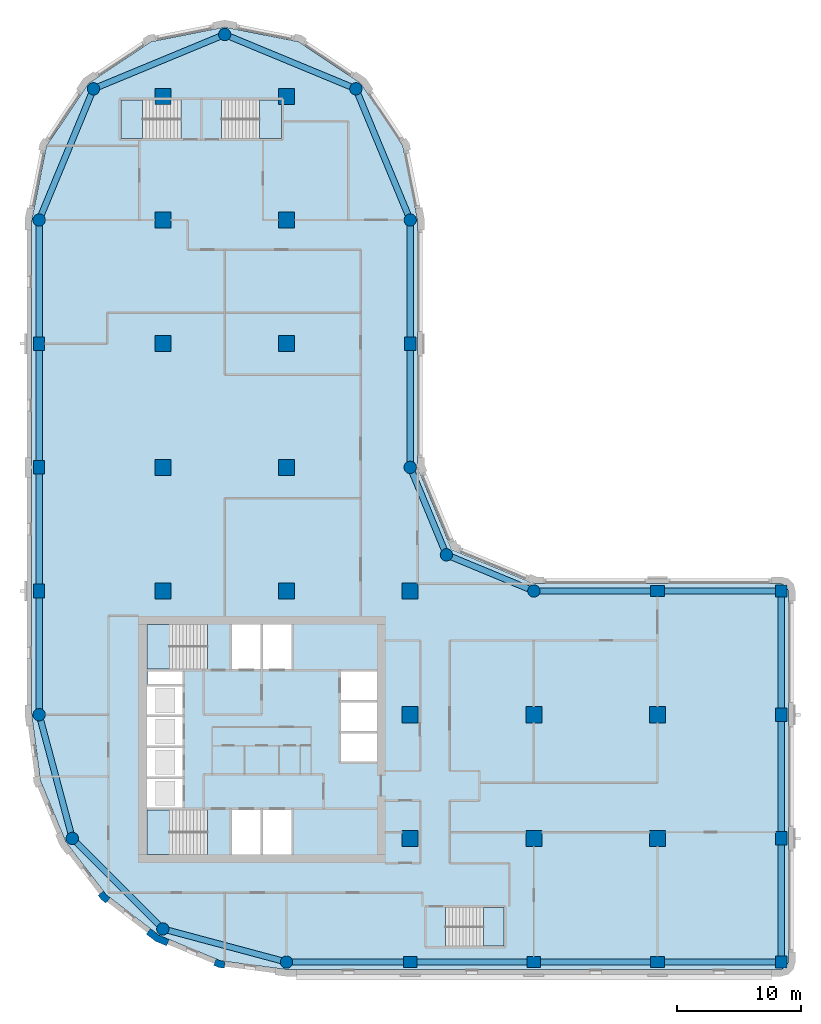
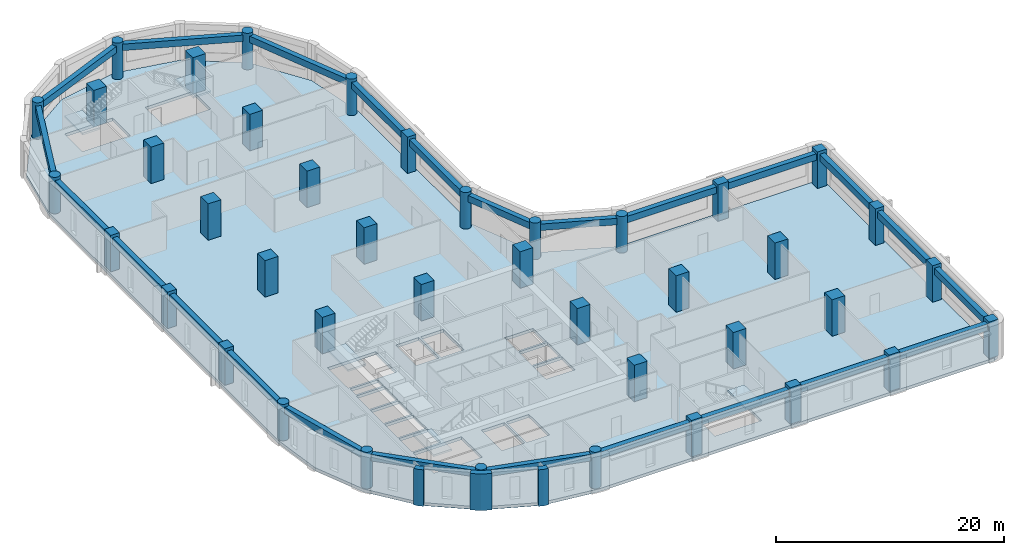
# One storey, part 1 of 9: 41 columns, 24 beams, 6 slabs, 3 walls, 5 elements without a shape of their own.
"""IFC4 building model written with IfcOpenShell, lengths in metres."""

from ifc_helpers import new_model, si_unit, direction, frame, origin, origin_2d, place, context, subcontext, project, spatial, polyline, rectangle, circle, outline, extrude, material, layer, layer_set, material_profile, profile_set, type_object, element, aggregate, save


model = new_model("IFC4")

# Units and contexts
model_context = context("Model", 3, precision=1e-05, world=origin(), true_north=direction((0.0, 1.0)))
body_context = subcontext(model_context, "Body", "Model", "MODEL_VIEW")
ifc_project = project(units=[si_unit("LENGTHUNIT", "METRE"), si_unit("AREAUNIT", "SQUARE_METRE"), si_unit("VOLUMEUNIT", "CUBIC_METRE"), si_unit("PLANEANGLEUNIT", "RADIAN"), si_unit("MASSUNIT", "GRAM", prefix="KILO")], contexts=[model_context])

# Site, building, storey
site_placement = place(None, origin())
site = spatial("IfcSite", under=ifc_project, at=site_placement, CompositionType="ELEMENT")
building_placement = place(site_placement, origin())
building = spatial("IfcBuilding", under=site, at=building_placement, Name="Qaws Garden Tower", CompositionType="ELEMENT")
storey_placement = place(building_placement, frame((0.0, 0.0, 194.10009765625)))
storey = spatial("IfcBuildingStorey", under=building, at=storey_placement, Name="L47", CompositionType="ELEMENT", Elevation=194.10009765625)

# Columns
ifc_material_1 = material(Name="Concrete C70", Category="concrete")
ifc_material_profile_1 = material_profile(ifc_material_1, rectangle(XDim=1.10009765625, YDim=0.89990234375, at=origin_2d()), Name="RC 1100x900")
ifc_profile_set_1 = profile_set([ifc_material_profile_1], Name="Concrete C70")
column_type_1 = type_object("IfcColumnType", Name="Column RC 1100x900 C70", PredefinedType="COLUMN", material=ifc_profile_set_1)
for number, where, z_axis, x_axis, name in (
    (1, (30.0, 0.0, 0.0), (0.0, 0.0, 1.0), (1.0, 0.0, 0.0), "Column L47-002"),
    (2, (40.0, 0.0, 0.0), (0.0, 0.0, 1.0), (1.0, 0.0, 0.0), "Column L47-003"),
    (3, (50.0, 0.0, 0.0), (0.0, 0.0, 1.0), (1.0, 0.0, 0.0), "Column L47-004"),
    (4, (60.0, 10.0, 0.0), (0.0, 0.0, 1.0), (0.0, 1.0, 0.0), "Column L47-006"),
    (5, (60.0, 20.0, 0.0), (0.0, 0.0, 1.0), (0.0, 1.0, 0.0), "Column L47-007"),
    (6, (50.0, 30.0, 0.0), (0.0, 0.0, 1.0), (1.0, 0.0, 0.0), "Column L47-009"),
    (7, (30.0, 50.0, 0.0), (0.0, 0.0, 1.0), (0.0, 1.0, 0.0), "Column L47-013"),
    (8, (0.0, 50.0, 0.0), (0.0, 0.0, 1.0), (0.0, 1.0, 0.0), "Column L47-019"),
    (9, (0.0, 40.0, 0.0), (0.0, 0.0, 1.0), (0.0, 1.0, 0.0), "Column L47-020"),
    (10, (0.0, 30.0, 0.0), (0.0, 0.0, 1.0), (0.0, 1.0, 0.0), "Column L47-021"),
):
    element("IfcColumn", number, at=place(storey_placement, frame(where, z_axis=z_axis, x_axis=x_axis)), inside=storey, type_object=column_type_1, Name=name, PredefinedType="COLUMN", context=body_context, shape_type="SweptSolid", body=[
        extrude(rectangle(XDim=1.10009765625, YDim=0.89990234375, at=origin_2d()), origin(), (0.0, 0.0, 1.0), 3.89990234375),
    ])
ifc_material_2 = material(Name="Concrete C70", Category="concrete")
ifc_material_profile_2 = material_profile(ifc_material_2, rectangle(XDim=1.300048828125, YDim=1.300048828125, at=origin_2d()), Name="RC 1300x1300")
ifc_profile_set_2 = profile_set([ifc_material_profile_2], Name="Concrete C70")
column_type_2 = type_object("IfcColumnType", Name="Column RC 1300x1300 C70", PredefinedType="COLUMN", material=ifc_profile_set_2)
for number, where, z_axis, x_axis, name in (
    (11, (10.0, 30.0, 0.0), (0.0, 0.0, 1.0), (1.0, 0.0, 0.0), "Column L47-025"),
    (12, (10.0, 40.0, 0.0), (0.0, 0.0, 1.0), (1.0, 0.0, 0.0), "Column L47-026"),
    (13, (10.0, 50.0, 0.0), (0.0, 0.0, 1.0), (1.0, 0.0, 0.0), "Column L47-027"),
    (14, (10.0, 60.0, 0.0), (0.0, 0.0, 1.0), (1.0, 0.0, 0.0), "Column L47-028"),
    (15, (10.0, 70.0, 0.0), (0.0, 0.0, 1.0), (1.0, 0.0, 0.0), "Column L47-029"),
    (16, (20.0, 30.0, 0.0), (0.0, 0.0, 1.0), (1.0, 0.0, 0.0), "Column L47-030"),
    (17, (20.0, 40.0, 0.0), (0.0, 0.0, 1.0), (1.0, 0.0, 0.0), "Column L47-031"),
    (18, (20.0, 50.0, 0.0), (0.0, 0.0, 1.0), (1.0, 0.0, 0.0), "Column L47-032"),
    (19, (20.0, 60.0, 0.0), (0.0, 0.0, 1.0), (1.0, 0.0, 0.0), "Column L47-033"),
    (20, (20.0, 70.0, 0.0), (0.0, 0.0, 1.0), (1.0, 0.0, 0.0), "Column L47-034"),
    (21, (30.0, 10.0, 0.0), (0.0, 0.0, 1.0), (1.0, 0.0, 0.0), "Column L47-035"),
    (22, (30.0, 20.0, 0.0), (0.0, 0.0, 1.0), (1.0, 0.0, 0.0), "Column L47-036"),
    (23, (30.0, 30.0, 0.0), (0.0, 0.0, 1.0), (1.0, 0.0, 0.0), "Column L47-037"),
    (24, (40.0, 10.0, 0.0), (0.0, 0.0, 1.0), (1.0, 0.0, 0.0), "Column L47-038"),
    (25, (40.0, 20.0, 0.0), (0.0, 0.0, 1.0), (1.0, 0.0, 0.0), "Column L47-039"),
    (26, (50.0, 10.0, 0.0), (0.0, 0.0, 1.0), (1.0, 0.0, 0.0), "Column L47-040"),
    (27, (50.0, 20.0, 0.0), (0.0, 0.0, 1.0), (1.0, 0.0, 0.0), "Column L47-041"),
):
    element("IfcColumn", number, at=place(storey_placement, frame(where, z_axis=z_axis, x_axis=x_axis)), inside=storey, type_object=column_type_2, Name=name, PredefinedType="COLUMN", context=body_context, shape_type="SweptSolid", body=[
        extrude(rectangle(XDim=1.300048828125, YDim=1.300048828125, at=origin_2d()), origin(), (0.0, 0.0, 1.0), 3.89990234375),
    ])
ifc_material_3 = material(Name="Concrete C70", Category="concrete")
ifc_material_profile_3 = material_profile(ifc_material_3, rectangle(XDim=0.949951171875, YDim=0.949951171875, at=origin_2d()), Name="RC 950x950")
ifc_profile_set_3 = profile_set([ifc_material_profile_3], Name="Concrete C70")
column_type_3 = type_object("IfcColumnType", Name="Column RC 950x950 C70", PredefinedType="COLUMN", material=ifc_profile_set_3)
for number, where, z_axis, x_axis, name in (
    (28, (60.0, 0.0, 0.0), (0.0, 0.0, 1.0), (1.0, 0.0, 0.0), "Column L47-005"),
    (29, (60.0, 30.0, 0.0), (0.0, 0.0, 1.0), (1.0, 0.0, 0.0), "Column L47-008"),
):
    element("IfcColumn", number, at=place(storey_placement, frame(where, z_axis=z_axis, x_axis=x_axis)), inside=storey, type_object=column_type_3, Name=name, PredefinedType="COLUMN", context=body_context, shape_type="SweptSolid", body=[
        extrude(rectangle(XDim=0.949951171875, YDim=0.949951171875, at=origin_2d()), origin(), (0.0, 0.0, 1.0), 3.89990234375),
    ])
ifc_material_4 = material(Name="Concrete C70", Category="concrete")
ifc_material_profile_4 = material_profile(ifc_material_4, circle(Radius=0.5, at=origin_2d()), Name="RC D1000")
ifc_profile_set_4 = profile_set([ifc_material_profile_4], Name="Concrete C70")
column_type_4 = type_object("IfcColumnType", Name="Column RC D1000 C70", PredefinedType="COLUMN", material=ifc_profile_set_4)
for number, where, z_axis, x_axis, name in (
    (30, (20.0, 0.0, 0.0), (0.0, 0.0, 1.0), (1.0, 0.0, 0.0), "Column L47-001"),
    (31, (40.0, 30.0, 0.0), (0.0, 0.0, 1.0), (1.0, 0.0, 0.0), "Column L47-010"),
    (32, (32.928955078125, 32.928955078125, 0.0), (0.0, 0.0, 1.0), (1.0, 0.0, 0.0), "Column L47-011"),
    (33, (30.0, 40.0, 0.0), (0.0, 0.0, 1.0), (1.0, 0.0, 0.0), "Column L47-012"),
    (34, (30.0, 60.0, 0.0), (0.0, 0.0, 1.0), (1.0, 0.0, 0.0), "Column L47-014"),
    (35, (25.606689453125, 70.606689453125, 0.0), (0.0, 0.0, 1.0), (1.0, 0.0, 0.0), "Column L47-015"),
    (36, (15.0, 75.0, 0.0), (0.0, 0.0, 1.0), (1.0, 0.0, 0.0), "Column L47-016"),
    (37, (4.393310546875, 70.606689453125, 0.0), (0.0, 0.0, 1.0), (1.0, 0.0, 0.0), "Column L47-017"),
    (38, (0.0, 60.0, 0.0), (0.0, 0.0, 1.0), (1.0, 0.0, 0.0), "Column L47-018"),
    (39, (0.0, 20.0, 0.0), (0.0, 0.0, 1.0), (1.0, 0.0, 0.0), "Column L47-022"),
    (40, (2.679443359375, 10.0, 0.0), (0.0, 0.0, 1.0), (1.0, 0.0, 0.0), "Column L47-023"),
    (41, (10.0, 2.679443359375, 0.0), (0.0, 0.0, 1.0), (1.0, 0.0, 0.0), "Column L47-024"),
):
    element("IfcColumn", number, at=place(storey_placement, frame(where, z_axis=z_axis, x_axis=x_axis)), inside=storey, type_object=column_type_4, Name=name, PredefinedType="COLUMN", context=body_context, shape_type="SweptSolid", body=[
        extrude(circle(Radius=0.5, at=origin_2d()), origin(), (0.0, 0.0, 1.0), 3.89990234375),
    ])

# Beams
ifc_material_5 = material(Name="Concrete C45", Category="concrete")
ifc_material_profile_5 = material_profile(ifc_material_5, rectangle(XDim=0.5, YDim=0.699951171875, at=origin_2d()), Name="RC 500x700")
ifc_profile_set_5 = profile_set([ifc_material_profile_5], Name="Concrete C45")
beam_type = type_object("IfcBeamType", Name="Spandrel beam RC 500x700 C45", PredefinedType="SPANDREL", material=ifc_profile_set_5)
for number, where, z_axis, x_axis, name in (
    (42, (20.0, 0.0, 3.22998046875), (1.0, 0.0, 0.0), (0.0, 1.0, 0.0), "Spandrel beam L47-001"),
    (43, (30.0, 0.0, 3.22998046875), (1.0, 0.0, 0.0), (0.0, 1.0, 0.0), "Spandrel beam L47-002"),
    (44, (40.0, 0.0, 3.22998046875), (1.0, 0.0, 0.0), (0.0, 1.0, 0.0), "Spandrel beam L47-003"),
    (45, (50.0, 0.0, 3.22998046875), (1.0, 0.0, 0.0), (0.0, 1.0, 0.0), "Spandrel beam L47-004"),
    (46, (60.0, 0.0, 3.22998046875), (0.0, 1.0, 0.0), (-1.0, 0.0, 0.0), "Spandrel beam L47-005"),
    (47, (60.0, 10.0, 3.22998046875), (0.0, 1.0, 0.0), (-1.0, 0.0, 0.0), "Spandrel beam L47-006"),
    (48, (60.0, 20.0, 3.22998046875), (0.0, 1.0, 0.0), (-1.0, 0.0, 0.0), "Spandrel beam L47-007"),
    (49, (60.0, 30.0, 3.22998046875), (-1.0, 0.0, 0.0), (0.0, -1.0, 0.0), "Spandrel beam L47-008"),
    (50, (50.0, 30.0, 3.22998046875), (-1.0, 0.0, 0.0), (0.0, -1.0, 0.0), "Spandrel beam L47-009"),
):
    element("IfcBeam", number, at=place(storey_placement, frame(where, z_axis=z_axis, x_axis=x_axis)), inside=storey, type_object=beam_type, Name=name, PredefinedType="SPANDREL", context=body_context, shape_type="SweptSolid", body=[
        extrude(rectangle(XDim=0.5, YDim=0.699951171875, at=origin_2d()), origin(), (0.0, 0.0, 1.0), 10.0),
    ])
for number, where, z_axis, x_axis, name in (
    (51, (40.0, 30.0, 3.22998046875), (-0.923878037141, 0.382687042488, 0.0), (-0.382687042488, -0.923878037141, 0.0), "Spandrel beam L47-010"),
    (52, (32.928955078125, 32.928955078125, 3.22998046875), (-0.382687042488, 0.923878037141, 0.0), (-0.923878037141, -0.382687042488, 0.0), "Spandrel beam L47-011"),
):
    element("IfcBeam", number, at=place(storey_placement, frame(where, z_axis=z_axis, x_axis=x_axis)), inside=storey, type_object=beam_type, Name=name, PredefinedType="SPANDREL", context=body_context, shape_type="SweptSolid", body=[
        extrude(rectangle(XDim=0.5, YDim=0.699951171875, at=origin_2d()), origin(), (0.0, 0.0, 1.0), 7.653564453125),
    ])
for number, where, z_axis, x_axis, name in (
    (53, (30.0, 40.0, 3.22998046875), (0.0, 1.0, 0.0), (-1.0, 0.0, 0.0), "Spandrel beam L47-012"),
    (54, (30.0, 50.0, 3.22998046875), (0.0, 1.0, 0.0), (-1.0, 0.0, 0.0), "Spandrel beam L47-013"),
):
    element("IfcBeam", number, at=place(storey_placement, frame(where, z_axis=z_axis, x_axis=x_axis)), inside=storey, type_object=beam_type, Name=name, PredefinedType="SPANDREL", context=body_context, shape_type="SweptSolid", body=[
        extrude(rectangle(XDim=0.5, YDim=0.699951171875, at=origin_2d()), origin(), (0.0, 0.0, 1.0), 10.0),
    ])
for number, where, z_axis, x_axis, name in (
    (55, (30.0, 60.0, 3.22998046875), (-0.382674207535, 0.923883353507, 0.0), (-0.923883353507, -0.382674207535, 0.0), "Spandrel beam L47-014"),
    (56, (25.606689453125, 70.606689453125, 3.22998046875), (-0.923883353507, 0.382674207535, 0.0), (-0.382674207535, -0.923883353507, 0.0), "Spandrel beam L47-015"),
    (57, (15.0, 75.0, 3.22998046875), (-0.923883353507, -0.382674207535, 0.0), (0.382674207535, -0.923883353507, 0.0), "Spandrel beam L47-016"),
    (58, (4.393310546875, 70.606689453125, 3.22998046875), (-0.382674207535, -0.923883353507, 0.0), (0.923883353507, -0.382674207535, 0.0), "Spandrel beam L47-017"),
):
    element("IfcBeam", number, at=place(storey_placement, frame(where, z_axis=z_axis, x_axis=x_axis)), inside=storey, type_object=beam_type, Name=name, PredefinedType="SPANDREL", context=body_context, shape_type="SweptSolid", body=[
        extrude(rectangle(XDim=0.5, YDim=0.699951171875, at=origin_2d()), origin(), (0.0, 0.0, 1.0), 11.48046875),
    ])
for number, where, z_axis, x_axis, name in (
    (59, (0.0, 60.0, 3.22998046875), (0.0, -1.0, 0.0), (1.0, 0.0, 0.0), "Spandrel beam L47-018"),
    (60, (0.0, 50.0, 3.22998046875), (0.0, -1.0, 0.0), (1.0, 0.0, 0.0), "Spandrel beam L47-019"),
    (61, (0.0, 40.0, 3.22998046875), (0.0, -1.0, 0.0), (1.0, 0.0, 0.0), "Spandrel beam L47-020"),
    (62, (0.0, 30.0, 3.22998046875), (0.0, -1.0, 0.0), (1.0, 0.0, 0.0), "Spandrel beam L47-021"),
):
    element("IfcBeam", number, at=place(storey_placement, frame(where, z_axis=z_axis, x_axis=x_axis)), inside=storey, type_object=beam_type, Name=name, PredefinedType="SPANDREL", context=body_context, shape_type="SweptSolid", body=[
        extrude(rectangle(XDim=0.5, YDim=0.699951171875, at=origin_2d()), origin(), (0.0, 0.0, 1.0), 10.0),
    ])
for number, where, z_axis, x_axis, name in (
    (63, (0.0, 20.0, 3.22998046875), (0.25881466832, -0.965926999034, 0.0), (0.965926999034, 0.25881466832, 0.0), "Spandrel beam L47-022"),
    (64, (2.679443359375, 10.0, 3.22998046875), (0.707106781187, -0.707106781187, 0.0), (0.707106781187, 0.707106781187, 0.0), "Spandrel beam L47-023"),
    (65, (10.0, 2.679443359375, 3.22998046875), (0.965926999034, -0.25881466832, 0.0), (0.25881466832, 0.965926999034, 0.0), "Spandrel beam L47-024"),
):
    element("IfcBeam", number, at=place(storey_placement, frame(where, z_axis=z_axis, x_axis=x_axis)), inside=storey, type_object=beam_type, Name=name, PredefinedType="SPANDREL", context=body_context, shape_type="SweptSolid", body=[
        extrude(rectangle(XDim=0.5, YDim=0.699951171875, at=origin_2d()), origin(), (0.0, 0.0, 1.0), 10.352783203125),
    ])

# Slab
ifc_material_6 = material(Name="Concrete C40", Category="concrete")
ifc_layer_1 = layer(ifc_material_6, 0.320068359375)
ifc_layer_set_1 = layer_set([ifc_layer_1], Name="Concrete C40")
slab_type_1 = type_object("IfcSlabType", Name="Floor slab 320 C40", PredefinedType="FLOOR", material=ifc_layer_set_1)
slab_1_placement = place(storey_placement, frame((0.0, 0.0, -0.320068359375)))
element("IfcSlab", 66, at=slab_1_placement, inside=storey, type_object=slab_type_1, Name="Floor slab L47", PredefinedType="FLOOR", context=body_context, shape_type="SweptSolid", body=[
    extrude(outline(polyline([(0.101806640625, 14.668212890625), (-0.60009765625, 20.0), (-0.60009765625, 30.60009765625), (-0.60009765625, 60.0), (-0.60009765625, 60.0), (0.58740234375, 65.969970703125), (3.968994140625, 71.031005859375), (9.030029296875, 74.41259765625), (15.0, 75.60009765625), (20.969970703125, 74.41259765625), (26.031005859375, 71.031005859375), (29.41259765625, 65.969970703125), (30.60009765625, 60.0), (30.60009765625, 40.0), (33.353271484375, 33.353271484375), (40.0, 30.60009765625), (60.0, 30.60009765625), (60.42431640625, 30.42431640625), (60.60009765625, 30.0), (60.60009765625, 0.0), (60.42431640625, -0.42431640625), (60.0, -0.60009765625), (30.60009765625, -0.60009765625), (20.0, -0.60009765625), (14.668212890625, 0.101806640625), (9.699951171875, 2.159912109375), (5.43359375, 5.43359375), (2.159912109375, 9.699951171875), (0.101806640625, 14.668212890625)]), holes=[polyline([(13.599609375, 12.300048828125), (8.699951171875, 12.300048828125), (8.699951171875, 8.699951171875), (13.599609375, 8.699951171875), (13.599609375, 12.300048828125)]), polyline([(17.89990234375, 12.300048828125), (15.60009765625, 12.300048828125), (15.60009765625, 8.699951171875), (17.89990234375, 8.699951171875), (17.89990234375, 12.300048828125)]), polyline([(11.60009765625, 14.800048828125), (8.699951171875, 14.800048828125), (8.699951171875, 12.5), (11.60009765625, 12.5), (11.60009765625, 14.800048828125)]), polyline([(11.60009765625, 17.300048828125), (8.699951171875, 17.300048828125), (8.699951171875, 15.0), (11.60009765625, 15.0), (11.60009765625, 17.300048828125)]), polyline([(11.60009765625, 19.800048828125), (8.699951171875, 19.800048828125), (8.699951171875, 17.5), (11.60009765625, 17.5), (11.60009765625, 19.800048828125)]), polyline([(11.60009765625, 22.300048828125), (8.699951171875, 22.300048828125), (8.699951171875, 20.0), (11.60009765625, 20.0), (11.60009765625, 22.300048828125)]), polyline([(11.60009765625, 23.5), (8.800048828125, 23.5), (8.800048828125, 22.5), (11.60009765625, 22.5), (11.60009765625, 23.5)]), polyline([(13.599609375, 27.300048828125), (8.699951171875, 27.300048828125), (8.699951171875, 23.699951171875), (13.599609375, 23.699951171875), (13.599609375, 27.300048828125)]), polyline([(11.449462890625, 69.699951171875), (6.60009765625, 69.699951171875), (6.60009765625, 66.60009765625), (11.449462890625, 66.60009765625), (11.449462890625, 69.699951171875)]), polyline([(37.60009765625, 4.39990234375), (32.8505859375, 4.39990234375), (32.8505859375, 1.300048828125), (37.60009765625, 1.300048828125), (37.60009765625, 4.39990234375)]), polyline([(20.39990234375, 12.300048828125), (18.10009765625, 12.300048828125), (18.10009765625, 8.699951171875), (20.39990234375, 8.699951171875), (20.39990234375, 12.300048828125)]), polyline([(27.300048828125, 18.5), (24.39990234375, 18.5), (24.39990234375, 16.199951171875), (27.300048828125, 16.199951171875), (27.300048828125, 18.5)]), polyline([(27.300048828125, 21.0), (24.39990234375, 21.0), (24.39990234375, 18.699951171875), (27.300048828125, 18.699951171875), (27.300048828125, 21.0)]), polyline([(27.300048828125, 23.5), (24.39990234375, 23.5), (24.39990234375, 21.199951171875), (27.300048828125, 21.199951171875), (27.300048828125, 23.5)]), polyline([(17.89990234375, 27.300048828125), (15.60009765625, 27.300048828125), (15.60009765625, 23.699951171875), (17.89990234375, 23.699951171875), (17.89990234375, 27.300048828125)]), polyline([(20.39990234375, 23.699951171875), (20.39990234375, 27.300048828125), (18.10009765625, 27.300048828125), (18.10009765625, 23.699951171875), (20.39990234375, 23.699951171875)]), polyline([(19.60009765625, 66.60009765625), (19.60009765625, 69.699951171875), (14.75048828125, 69.699951171875), (14.75048828125, 66.60009765625), (19.60009765625, 66.60009765625)])]), origin(), (0.0, 0.0, 1.0), 0.320068359375),
])

# Stair, slab
ifc_material_7 = material(Name="Concrete C40", Category="concrete")
stair_type_1 = type_object("IfcStairType", Name="Exit stair 1500", PredefinedType="HALF_TURN_STAIR", material=ifc_material_7)
placement_1 = place(storey_placement, origin())
stair_1 = element("IfcStair", 67, at=placement_1, inside=storey, type_object=stair_type_1, Name="Stair 1", PredefinedType="HALF_TURN_STAIR")
ifc_material_8 = material(Name="Concrete C40", Category="concrete")
ifc_layer_2 = layer(ifc_material_8, 0.199951171875)
ifc_layer_set_2 = layer_set([ifc_layer_2], Name="Concrete C40")
slab_type_2 = type_object("IfcSlabType", Name="Stair landing 200", PredefinedType="LANDING", material=ifc_layer_set_2)
placement_2 = place(storey_placement, frame((0.0, 0.0, 1.75)))
slab_2 = element("IfcSlab", 68, at=placement_2, type_object=slab_type_2, Name="ST1 landing 1", PredefinedType="LANDING", context=body_context, shape_type="SweptSolid", body=[
    extrude(outline(polyline([(8.699951171875, 8.699951171875), (10.52001953125, 8.699951171875), (10.52001953125, 12.300048828125), (8.699951171875, 12.300048828125), (8.699951171875, 8.699951171875)])), origin(), (0.0, 0.0, 1.0), 0.199951171875),
])
aggregate(stair_1, [slab_2])

stair_2 = element("IfcStair", 69, at=placement_1, inside=storey, type_object=stair_type_1, Name="Stair 4", PredefinedType="HALF_TURN_STAIR")
slab_3 = element("IfcSlab", 70, at=placement_2, type_object=slab_type_2, Name="ST4 landing 1", PredefinedType="LANDING", context=body_context, shape_type="SweptSolid", body=[
    extrude(outline(polyline([(8.699951171875, 23.699951171875), (10.52001953125, 23.699951171875), (10.52001953125, 27.300048828125), (8.699951171875, 27.300048828125), (8.699951171875, 23.699951171875)])), origin(), (0.0, 0.0, 1.0), 0.199951171875),
])
aggregate(stair_2, [slab_3])

ifc_material_9 = material(Name="Concrete C40", Category="concrete")
stair_type_2 = type_object("IfcStairType", Name="Exit stair 1350", PredefinedType="HALF_TURN_STAIR", material=ifc_material_9)
stair_3 = element("IfcStair", 71, at=placement_1, inside=storey, type_object=stair_type_2, Name="Stair 5", PredefinedType="HALF_TURN_STAIR")
slab_4 = element("IfcSlab", 72, at=placement_2, type_object=slab_type_2, Name="ST5 landing 1", PredefinedType="LANDING", context=body_context, shape_type="SweptSolid", body=[
    extrude(outline(polyline([(35.929931640625, 1.300048828125), (37.60009765625, 1.300048828125), (37.60009765625, 4.39990234375), (35.929931640625, 4.39990234375), (35.929931640625, 1.300048828125)])), origin(), (0.0, 0.0, 1.0), 0.199951171875),
])
aggregate(stair_3, [slab_4])

stair_4 = element("IfcStair", 73, at=placement_1, inside=storey, type_object=stair_type_2, Name="Stair 6", PredefinedType="HALF_TURN_STAIR")
slab_5 = element("IfcSlab", 74, at=placement_2, type_object=slab_type_2, Name="ST6 landing 1", PredefinedType="LANDING", context=body_context, shape_type="SweptSolid", body=[
    extrude(outline(polyline([(6.60009765625, 66.60009765625), (8.3701171875, 66.60009765625), (8.3701171875, 69.699951171875), (6.60009765625, 69.699951171875), (6.60009765625, 66.60009765625)])), origin(), (0.0, 0.0, 1.0), 0.199951171875),
])
aggregate(stair_4, [slab_5])

stair_5 = element("IfcStair", 75, at=placement_1, inside=storey, type_object=stair_type_2, Name="Stair 7", PredefinedType="HALF_TURN_STAIR")
slab_6 = element("IfcSlab", 76, at=placement_2, type_object=slab_type_2, Name="ST7 landing 1", PredefinedType="LANDING", context=body_context, shape_type="SweptSolid", body=[
    extrude(outline(polyline([(17.830078125, 66.60009765625), (19.60009765625, 66.60009765625), (19.60009765625, 69.699951171875), (17.830078125, 69.699951171875), (17.830078125, 66.60009765625)])), origin(), (0.0, 0.0, 1.0), 0.199951171875),
])
aggregate(stair_5, [slab_6])

# Walls
ifc_material_10 = material(Name="Clay facing brick masonry", Category="masonry")
ifc_layer_3 = layer(ifc_material_10, 0.550048828125)
ifc_layer_set_3 = layer_set([ifc_layer_3], Name="Clay facing brick masonry")
wall_type_1 = type_object("IfcWallType", Name="Brick kink pier 550 x 600", PredefinedType="SOLIDWALL", material=ifc_layer_set_3)
element("IfcWall", 77, at=placement_1, inside=storey, type_object=wall_type_1, Name="E-L47-pier-28", PredefinedType="SOLIDWALL", context=body_context, shape_type="SweptSolid", body=[
    extrude(outline(polyline([(4.8818359375, 5.487060546875), (4.762939453125, 5.395751953125), (5.03759765625, 5.03759765625), (5.395751953125, 4.762939453125), (5.487060546875, 4.8818359375), (5.730712890625, 5.19921875), (5.429931640625, 5.429931640625), (5.19921875, 5.730712890625), (4.8818359375, 5.487060546875)])), origin(), (0.0, 0.0, 1.0), 3.89990234375),
])
element("IfcWall", 78, at=placement_1, inside=storey, type_object=wall_type_1, Name="E-L47-pier-30", PredefinedType="SOLIDWALL", context=body_context, shape_type="SweptSolid", body=[
    extrude(outline(polyline([(14.163818359375, -0.127685546875), (14.1064453125, -0.26611328125), (14.5234375, -0.43896484375), (14.970947265625, -0.497802734375), (14.990478515625, -0.34912109375), (15.042724609375, 0.04736328125), (14.6669921875, 0.096923828125), (14.31689453125, 0.241943359375), (14.163818359375, -0.127685546875)])), origin(), (0.0, 0.0, 1.0), 3.89990234375),
])
ifc_material_11 = material(Name="Clay facing brick masonry", Category="masonry")
ifc_layer_4 = layer(ifc_material_11, 0.550048828125)
ifc_layer_set_4 = layer_set([ifc_layer_4], Name="Clay facing brick masonry")
wall_type_2 = type_object("IfcWallType", Name="Brick pier 550 x 1600", PredefinedType="SOLIDWALL", material=ifc_layer_set_4)
element("IfcWall", 79, at=placement_1, inside=storey, type_object=wall_type_2, Name="E-L47-pier-29", PredefinedType="SOLIDWALL", context=body_context, shape_type="SweptSolid", body=[
    extrude(outline(polyline([(8.756591796875, 2.373046875), (8.665283203125, 2.254150390625), (9.419921875, 1.675048828125), (10.299072265625, 1.310791015625), (10.3564453125, 1.449462890625), (10.509521484375, 1.819091796875), (9.697509765625, 2.1552734375), (9.0, 2.6904296875), (8.756591796875, 2.373046875)])), origin(), (0.0, 0.0, 1.0), 3.89990234375),
])

save(model, "model.ifc")
